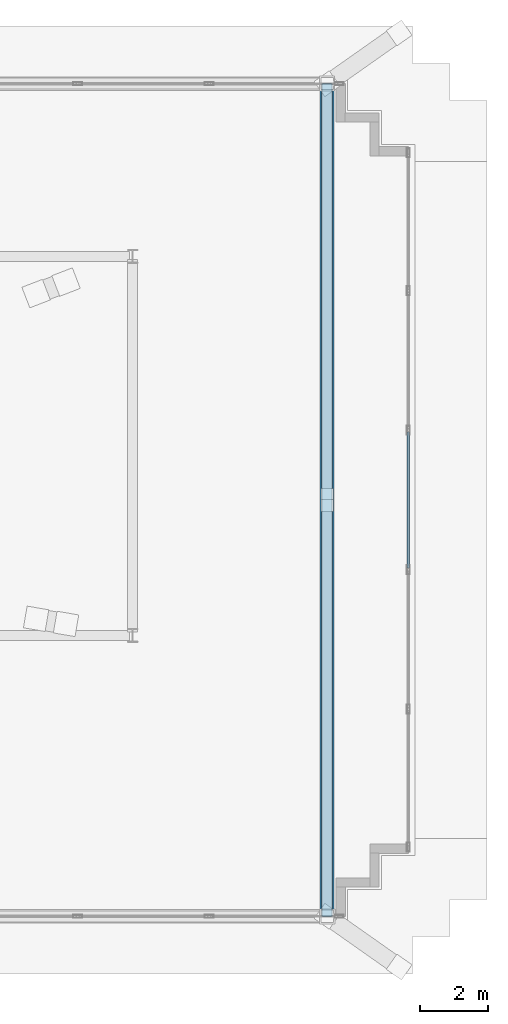
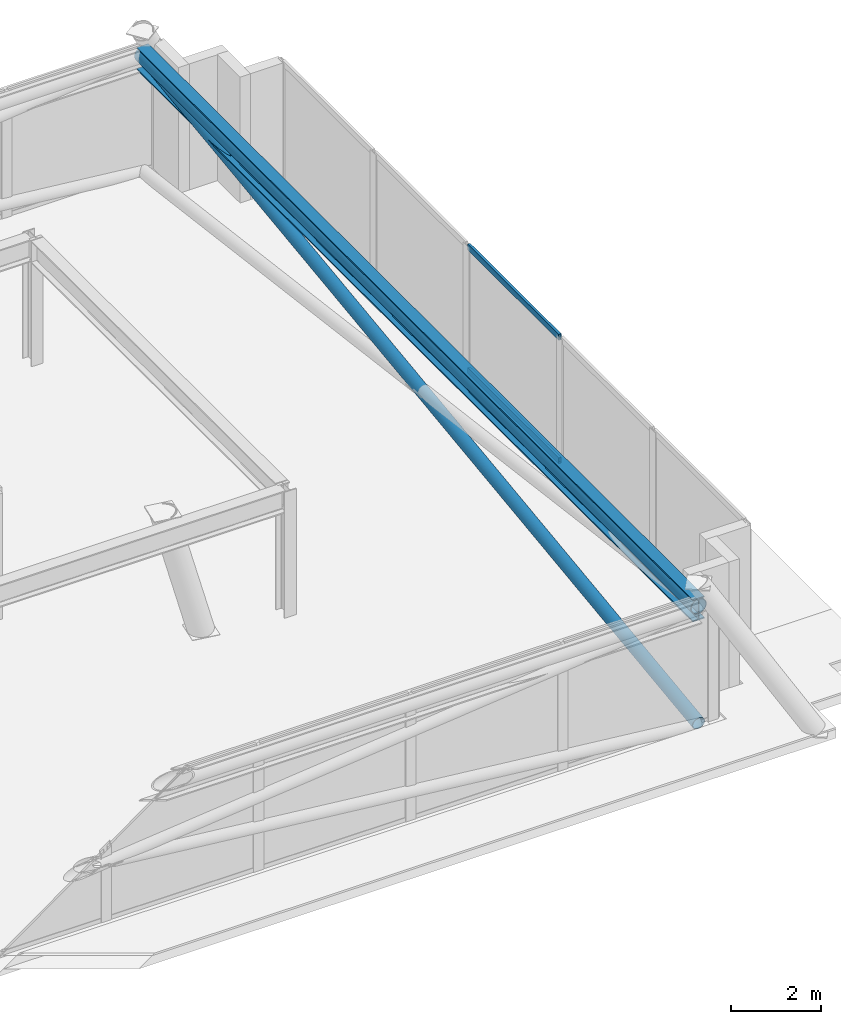
# One storey, part 12 of 18: 4 members, 1 beam, 1 element without a shape of its own.
"""IFC4 building model written with IfcOpenShell, lengths in metres."""

from ifc_helpers import new_model, si_unit, direction, frame, origin, origin_2d, place, context, subcontext, project, spatial, hollow_rectangle, hollow_circle, i_section, extrude, material, layer, layer_set, material_profile, profile_set, type_object, element, aggregate, save


model = new_model("IFC4")

# Units and contexts
model_context = context("Model", 3, precision=1e-05, world=origin(), true_north=direction((0.0, 1.0)))
body_context = subcontext(model_context, "Body", "Model", "MODEL_VIEW")
ifc_project = project(units=[si_unit("LENGTHUNIT", "METRE"), si_unit("AREAUNIT", "SQUARE_METRE"), si_unit("VOLUMEUNIT", "CUBIC_METRE"), si_unit("PLANEANGLEUNIT", "RADIAN"), si_unit("MASSUNIT", "GRAM", prefix="KILO")], contexts=[model_context])

# Site, building, storey
site_placement = place(None, origin())
site = spatial("IfcSite", under=ifc_project, at=site_placement, CompositionType="ELEMENT")
building_placement = place(site_placement, origin())
building = spatial("IfcBuilding", under=site, at=building_placement, Name="Qobustan Lattice House", CompositionType="ELEMENT")
storey_placement = place(building_placement, frame((0.0, 0.0, 277.800048828125)))
storey = spatial("IfcBuildingStorey", under=building, at=storey_placement, Name="L78", CompositionType="ELEMENT", Elevation=277.800048828125)

# Beam
ifc_material_1 = material(Name="Steel S355", Category="steel")
ifc_material_profile_1 = material_profile(ifc_material_1, i_section(OverallWidth=0.300048828125, OverallDepth=0.60009765625, WebThickness=0.015380859375, FlangeThickness=0.030029296875, FilletRadius=0.027099609375, at=origin_2d()), Name="HEB600")
ifc_profile_set_1 = profile_set([ifc_material_profile_1], Name="Steel S355")
beam_type = type_object("IfcBeamType", Name="BM-POD-HEB600", PredefinedType="USERDEFINED", material=ifc_profile_set_1)
beam_placement = place(storey_placement, frame((14.946533203125, -13.903564453125, 3.099853515625), z_axis=(0.0, 1.0, 0.0), x_axis=(-1.0, 0.0, 0.0)))
element("IfcBeam", 1, at=beam_placement, inside=storey, type_object=beam_type, Name="L78 crown perimeter ring beam 2", ObjectType="GIRDER", PredefinedType="USERDEFINED", context=body_context, shape_type="SweptSolid", body=[
    extrude(i_section(OverallWidth=0.300048828125, OverallDepth=0.60009765625, WebThickness=0.015380859375, FlangeThickness=0.030029296875, FilletRadius=0.027099609375, at=origin_2d()), origin(), (0.0, 0.0, 1.0), 24.607177734375),
])

# Curtain wall, members
ifc_material_2 = material(Name="Anodised aluminium and low-E glazing", Category="aluminium")
ifc_layer = layer(ifc_material_2, 0.219970703125)
ifc_layer_set = layer_set([ifc_layer], Name="Anodised aluminium and low-E glazing")
curtain_wall_type = type_object("IfcCurtainWallType", Name="CW-CRN-01", PredefinedType="USERDEFINED", material=ifc_layer_set)
curtain_wall_placement = place(storey_placement, origin())
curtain_wall = element("IfcCurtainWall", 2, at=curtain_wall_placement, inside=storey, type_object=curtain_wall_type, Name="L78 glass-point crown faceted curtain wall 15", ObjectType="CURTAIN WALL", PredefinedType="USERDEFINED")
ifc_material_3 = material(Name="Anodised aluminium EN AW-6063 T6", Category="aluminium")
ifc_material_profile_2 = material_profile(ifc_material_3, hollow_rectangle(XDim=0.06494140625, YDim=0.159912109375, WallThickness=0.00390625, at=origin_2d()), Name="CWT-160x65")
ifc_profile_set_2 = profile_set([ifc_material_profile_2], Name="Anodised aluminium EN AW-6063 T6")
member_type_1 = type_object("IfcMemberType", Name="CWT-HOR-160", PredefinedType="USERDEFINED", material=ifc_profile_set_2)
member_1_placement = place(storey_placement, frame((17.346435546875, 0.415771484375, 0.032470703125), z_axis=(0.0, -1.0, 0.0), x_axis=(1.0, 0.0, 0.0)))
member_1 = element("IfcMember", 3, at=member_1_placement, type_object=member_type_1, Name="CW-CR transom 3.1", ObjectType="TRANSOM", PredefinedType="USERDEFINED", context=body_context, shape_type="SweptSolid", body=[
    extrude(hollow_rectangle(XDim=0.06494140625, YDim=0.159912109375, WallThickness=0.00390625, at=origin_2d()), origin(), (0.0, 0.0, 1.0), 4.031494140625),
])
member_2_placement = place(storey_placement, frame((17.346435546875, 0.415771484375, 3.367431640625), z_axis=(0.0, -1.0, 0.0), x_axis=(1.0, 0.0, 0.0)))
member_2 = element("IfcMember", 4, at=member_2_placement, type_object=member_type_1, Name="CW-CR transom 3.2", ObjectType="TRANSOM", PredefinedType="USERDEFINED", context=body_context, shape_type="SweptSolid", body=[
    extrude(hollow_rectangle(XDim=0.06494140625, YDim=0.159912109375, WallThickness=0.00390625, at=origin_2d()), origin(), (0.0, 0.0, 1.0), 4.031494140625),
])
aggregate(curtain_wall, [member_1, member_2])

# Members
ifc_material_4 = material(Name="Steel S355", Category="steel")
ifc_material_profile_3 = material_profile(ifc_material_4, hollow_circle(Radius=0.161865234375, WallThickness=0.012451171875, at=origin_2d()), Name="CHS323.9x12.5")
ifc_profile_set_3 = profile_set([ifc_material_profile_3], Name="Steel S355")
member_type_2 = type_object("IfcMemberType", Name="MEM-CBR-CHS324", PredefinedType="BRACE", material=ifc_profile_set_3)
member_3_placement = place(storey_placement, frame((14.946533203125, -13.903564453125, 0.014892578125), z_axis=(0.0, 0.991829355332, 0.127571665749), x_axis=(-1.0, 0.0, 0.0)))
element("IfcMember", 5, at=member_3_placement, inside=storey, type_object=member_type_2, Name="L78 crown diagrid continuous brace 2A", PredefinedType="BRACE", context=body_context, shape_type="SweptSolid", body=[
    extrude(hollow_circle(Radius=0.161865234375, WallThickness=0.012451171875, at=origin_2d()), origin(), (0.0, 0.0, 1.0), 24.809814453125),
])
ifc_material_5 = material(Name="Steel S355", Category="steel")
ifc_material_profile_4 = material_profile(ifc_material_5, hollow_circle(Radius=0.203125, WallThickness=0.01611328125, at=origin_2d()), Name="CHS406.4x16")
ifc_profile_set_4 = profile_set([ifc_material_profile_4], Name="Steel S355")
member_type_3 = type_object("IfcMemberType", Name="MEM-RNG-CHS406", PredefinedType="CHORD", material=ifc_profile_set_4)
member_4_placement = place(storey_placement, frame((14.946533203125, -13.903564453125, 3.179931640625), z_axis=(0.0, 1.0, 0.0), x_axis=(-1.0, 0.0, 0.0)))
element("IfcMember", 6, at=member_4_placement, inside=storey, type_object=member_type_3, Name="L78 crown ring chord 2", PredefinedType="CHORD", context=body_context, shape_type="SweptSolid", body=[
    extrude(hollow_circle(Radius=0.203125, WallThickness=0.01611328125, at=origin_2d()), origin(), (0.0, 0.0, 1.0), 24.607177734375),
])

save(model, "model.ifc")
